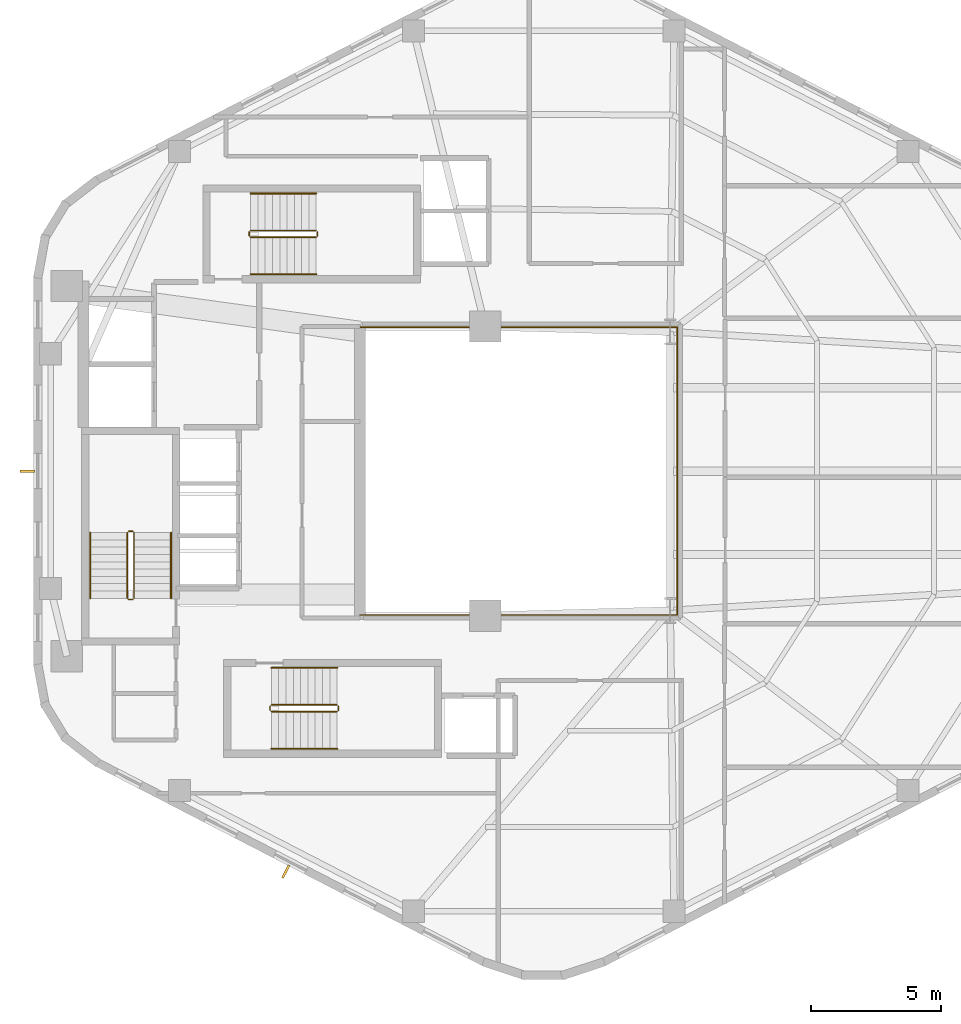
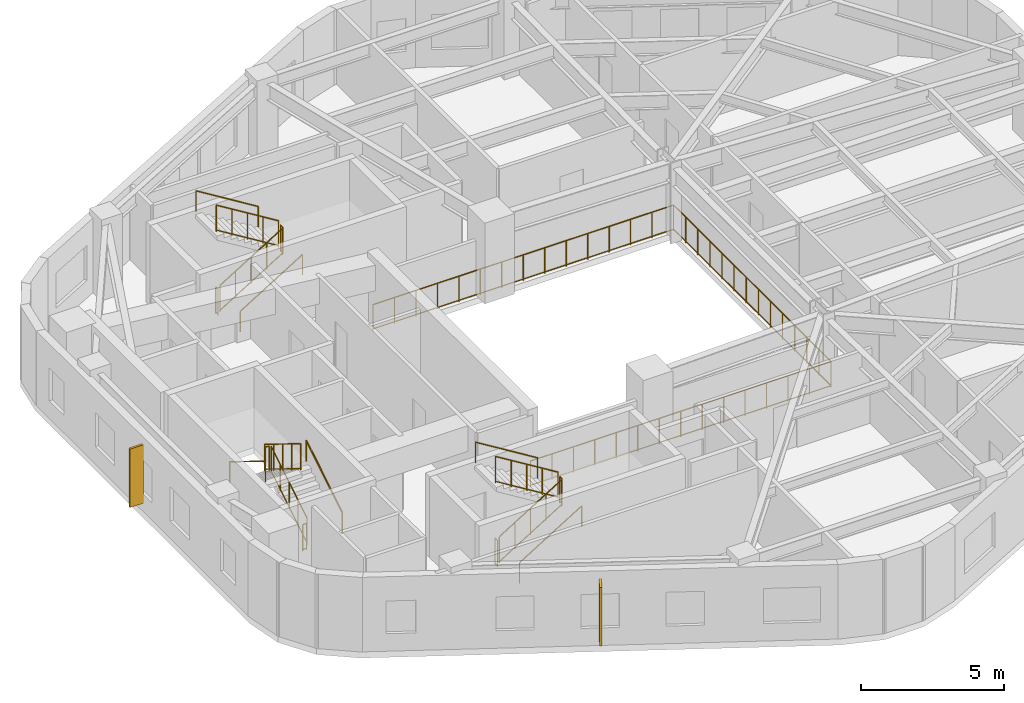
# One storey, part 6 of 6: 19 railings, 2 shading devices.
"""IFC4 building model written with IfcOpenShell, lengths in metres."""

from ifc_helpers import new_model, si_unit, direction, frame, origin, origin_2d, place, context, subcontext, project, spatial, rectangle, circle, extrude, material, type_object, element, save


model = new_model("IFC4")

# Units and contexts
model_context = context("Model", 3, precision=1e-05, world=origin(), true_north=direction((0.0, 1.0)))
body_context = subcontext(model_context, "Body", "Model", "MODEL_VIEW")
ifc_project = project(units=[si_unit("LENGTHUNIT", "METRE"), si_unit("AREAUNIT", "SQUARE_METRE"), si_unit("VOLUMEUNIT", "CUBIC_METRE"), si_unit("PLANEANGLEUNIT", "RADIAN"), si_unit("MASSUNIT", "GRAM", prefix="KILO"), si_unit("THERMODYNAMICTEMPERATUREUNIT", "KELVIN"), si_unit("POWERUNIT", "WATT")], contexts=[model_context])

# Site, building, storey
site_placement = place(None, origin())
site = spatial("IfcSite", under=ifc_project, at=site_placement, CompositionType="ELEMENT")
building_placement = place(site_placement, origin())
building = spatial("IfcBuilding", under=site, at=building_placement, Name="Skarre Station Tower", CompositionType="ELEMENT")
storey_placement = place(building_placement, frame((0.0, 0.0, 210.25)))
storey = spatial("IfcBuildingStorey", under=building, at=storey_placement, Name="L57", CompositionType="ELEMENT", Elevation=210.25)

# Railing
ifc_material_1 = material(Name="Bronze Anodized Steel & Laminated Glass Balustrade", Category="steel")
railing_type_1 = type_object("IfcRailingType", Name="Atrium Void & Mezzanine Guard Balustrade 1120", PredefinedType="GUARDRAIL", material=ifc_material_1)
railing_1_placement = place(storey_placement, frame((27.550048828125, 18.47998046875, 0.0)))
element("IfcRailing", 1, at=railing_1_placement, inside=storey, type_object=railing_type_1, Name="L57 Atrium Void Guard Balustrade", PredefinedType="GUARDRAIL", context=body_context, shape_type="SweptSolid", body=[
    extrude(circle(Radius=0.02392578125, at=origin_2d()), frame((0.0, 0.0, 1.09619140625), z_axis=(1.0, 0.0, 0.0), x_axis=(0.0, 1.0, 0.0)), (0.0, 0.0, 1.0), 12.169921875),
    extrude(circle(Radius=0.02099609375, at=origin_2d()), frame((0.0, 0.0, 0.06005859375), z_axis=(1.0, 0.0, 0.0), x_axis=(0.0, 1.0, 0.0)), (0.0, 0.0, 1.0), 12.169921875),
    extrude(circle(Radius=0.02392578125, at=origin_2d()), frame((12.169921875, 0.0, 1.09619140625), z_axis=(0.0, 1.0, 0.0), x_axis=(-1.0, 0.0, 0.0)), (0.0, 0.0, 1.0), 11.0400390625),
    extrude(circle(Radius=0.02099609375, at=origin_2d()), frame((12.169921875, 0.0, 0.06005859375), z_axis=(0.0, 1.0, 0.0), x_axis=(-1.0, 0.0, 0.0)), (0.0, 0.0, 1.0), 11.0400390625),
    extrude(circle(Radius=0.02392578125, at=origin_2d()), frame((12.169921875, 11.0400390625, 1.09619140625), z_axis=(-1.0, 0.0, 0.0), x_axis=(0.0, -1.0, 0.0)), (0.0, 0.0, 1.0), 12.169921875),
    extrude(circle(Radius=0.02099609375, at=origin_2d()), frame((12.169921875, 11.0400390625, 0.06005859375), z_axis=(-1.0, 0.0, 0.0), x_axis=(0.0, -1.0, 0.0)), (0.0, 0.0, 1.0), 12.169921875),
    extrude(circle(Radius=0.02099609375, at=origin_2d()), origin(), (0.0, 0.0, 1.0), 1.072021484375),
    extrude(circle(Radius=0.02099609375, at=origin_2d()), frame((0.869384765625, 0.0, 0.0)), (0.0, 0.0, 1.0), 1.072021484375),
    extrude(circle(Radius=0.02099609375, at=origin_2d()), frame((1.738525390625, 0.0, 0.0)), (0.0, 0.0, 1.0), 1.072021484375),
    extrude(circle(Radius=0.02099609375, at=origin_2d()), frame((2.60791015625, 0.0, 0.0)), (0.0, 0.0, 1.0), 1.072021484375),
    extrude(circle(Radius=0.02099609375, at=origin_2d()), frame((3.47705078125, 0.0, 0.0)), (0.0, 0.0, 1.0), 1.072021484375),
    extrude(circle(Radius=0.02099609375, at=origin_2d()), frame((4.346435546875, 0.0, 0.0)), (0.0, 0.0, 1.0), 1.072021484375),
    extrude(circle(Radius=0.02099609375, at=origin_2d()), frame((5.215576171875, 0.0, 0.0)), (0.0, 0.0, 1.0), 1.072021484375),
    extrude(circle(Radius=0.02099609375, at=origin_2d()), frame((6.0849609375, 0.0, 0.0)), (0.0, 0.0, 1.0), 1.072021484375),
    extrude(circle(Radius=0.02099609375, at=origin_2d()), frame((6.954345703125, 0.0, 0.0)), (0.0, 0.0, 1.0), 1.072021484375),
    extrude(circle(Radius=0.02099609375, at=origin_2d()), frame((7.823486328125, 0.0, 0.0)), (0.0, 0.0, 1.0), 1.072021484375),
    extrude(circle(Radius=0.02099609375, at=origin_2d()), frame((8.69287109375, 0.0, 0.0)), (0.0, 0.0, 1.0), 1.072021484375),
    extrude(circle(Radius=0.02099609375, at=origin_2d()), frame((9.56201171875, 0.0, 0.0)), (0.0, 0.0, 1.0), 1.072021484375),
    extrude(circle(Radius=0.02099609375, at=origin_2d()), frame((10.431396484375, 0.0, 0.0)), (0.0, 0.0, 1.0), 1.072021484375),
    extrude(circle(Radius=0.02099609375, at=origin_2d()), frame((11.300537109375, 0.0, 0.0)), (0.0, 0.0, 1.0), 1.072021484375),
    extrude(circle(Radius=0.02099609375, at=origin_2d()), frame((12.169921875, 0.0, 0.0)), (0.0, 0.0, 1.0), 1.072021484375),
    extrude(circle(Radius=0.02099609375, at=origin_2d()), frame((12.169921875, 0.84912109375, 0.0)), (0.0, 0.0, 1.0), 1.072021484375),
    extrude(circle(Radius=0.02099609375, at=origin_2d()), frame((12.169921875, 1.698486328125, 0.0)), (0.0, 0.0, 1.0), 1.072021484375),
    extrude(circle(Radius=0.02099609375, at=origin_2d()), frame((12.169921875, 2.547607421875, 0.0)), (0.0, 0.0, 1.0), 1.072021484375),
    extrude(circle(Radius=0.02099609375, at=origin_2d()), frame((12.169921875, 3.39697265625, 0.0)), (0.0, 0.0, 1.0), 1.072021484375),
    extrude(circle(Radius=0.02099609375, at=origin_2d()), frame((12.169921875, 4.24609375, 0.0)), (0.0, 0.0, 1.0), 1.072021484375),
    extrude(circle(Radius=0.02099609375, at=origin_2d()), frame((12.169921875, 5.095458984375, 0.0)), (0.0, 0.0, 1.0), 1.072021484375),
    extrude(circle(Radius=0.02099609375, at=origin_2d()), frame((12.169921875, 5.944580078125, 0.0)), (0.0, 0.0, 1.0), 1.072021484375),
    extrude(circle(Radius=0.02099609375, at=origin_2d()), frame((12.169921875, 6.7939453125, 0.0)), (0.0, 0.0, 1.0), 1.072021484375),
    extrude(circle(Radius=0.02099609375, at=origin_2d()), frame((12.169921875, 7.64306640625, 0.0)), (0.0, 0.0, 1.0), 1.072021484375),
    extrude(circle(Radius=0.02099609375, at=origin_2d()), frame((12.169921875, 8.492431640625, 0.0)), (0.0, 0.0, 1.0), 1.072021484375),
    extrude(circle(Radius=0.02099609375, at=origin_2d()), frame((12.169921875, 9.341552734375, 0.0)), (0.0, 0.0, 1.0), 1.072021484375),
    extrude(circle(Radius=0.02099609375, at=origin_2d()), frame((12.169921875, 10.19091796875, 0.0)), (0.0, 0.0, 1.0), 1.072021484375),
    extrude(circle(Radius=0.02099609375, at=origin_2d()), frame((12.169921875, 11.0400390625, 0.0)), (0.0, 0.0, 1.0), 1.072021484375),
    extrude(circle(Radius=0.02099609375, at=origin_2d()), frame((11.300537109375, 11.0400390625, 0.0)), (0.0, 0.0, 1.0), 1.072021484375),
    extrude(circle(Radius=0.02099609375, at=origin_2d()), frame((10.431396484375, 11.0400390625, 0.0)), (0.0, 0.0, 1.0), 1.072021484375),
    extrude(circle(Radius=0.02099609375, at=origin_2d()), frame((9.56201171875, 11.0400390625, 0.0)), (0.0, 0.0, 1.0), 1.072021484375),
    extrude(circle(Radius=0.02099609375, at=origin_2d()), frame((8.69287109375, 11.0400390625, 0.0)), (0.0, 0.0, 1.0), 1.072021484375),
    extrude(circle(Radius=0.02099609375, at=origin_2d()), frame((7.823486328125, 11.0400390625, 0.0)), (0.0, 0.0, 1.0), 1.072021484375),
    extrude(circle(Radius=0.02099609375, at=origin_2d()), frame((6.954345703125, 11.0400390625, 0.0)), (0.0, 0.0, 1.0), 1.072021484375),
    extrude(circle(Radius=0.02099609375, at=origin_2d()), frame((6.0849609375, 11.0400390625, 0.0)), (0.0, 0.0, 1.0), 1.072021484375),
    extrude(circle(Radius=0.02099609375, at=origin_2d()), frame((5.215576171875, 11.0400390625, 0.0)), (0.0, 0.0, 1.0), 1.072021484375),
    extrude(circle(Radius=0.02099609375, at=origin_2d()), frame((4.346435546875, 11.0400390625, 0.0)), (0.0, 0.0, 1.0), 1.072021484375),
    extrude(circle(Radius=0.02099609375, at=origin_2d()), frame((3.47705078125, 11.0400390625, 0.0)), (0.0, 0.0, 1.0), 1.072021484375),
    extrude(circle(Radius=0.02099609375, at=origin_2d()), frame((2.60791015625, 11.0400390625, 0.0)), (0.0, 0.0, 1.0), 1.072021484375),
    extrude(circle(Radius=0.02099609375, at=origin_2d()), frame((1.738525390625, 11.0400390625, 0.0)), (0.0, 0.0, 1.0), 1.072021484375),
    extrude(circle(Radius=0.02099609375, at=origin_2d()), frame((0.869384765625, 11.0400390625, 0.0)), (0.0, 0.0, 1.0), 1.072021484375),
    extrude(circle(Radius=0.02099609375, at=origin_2d()), frame((0.0, 11.0400390625, 0.0)), (0.0, 0.0, 1.0), 1.072021484375),
])

# Shading devices
ifc_material_2 = material(Name="Bronze Anodized Extruded Aluminium 6063-T6", Category="aluminium")
shading_device_type = type_object("IfcShadingDeviceType", Name="Nordic Bronze Vertical Solar Fin 550x90", PredefinedType="SHUTTER", material=ifc_material_2)
for number, where, z_axis, x_axis, name in (
    (2, (14.778076171875, 24.0, 0.35009765625), (0.0, 0.0, 1.0), (-1.0, 0.0, 0.0), "L57 Facet 2 Bronze Solar Fin"),
    (3, (24.698974609375, 8.6279296875, 0.35009765625), (0.0, 0.0, 1.0), (-0.458634045118, -0.888625237464, 0.0), "L57 Facet 3 Bronze Solar Fin"),
):
    element("IfcShadingDevice", number, at=place(storey_placement, frame(where, z_axis=z_axis, x_axis=x_axis)), inside=storey, type_object=shading_device_type, Name=name, PredefinedType="SHUTTER", context=body_context, shape_type="SweptSolid", body=[
        extrude(rectangle(XDim=0.550048828125, YDim=0.090087890625, at=origin_2d()), origin(), (0.0, 0.0, 1.0), 2.5),
    ])

# Railings
ifc_material_3 = material(Name="Powder-Coated Tubular Steel", Category="steel")
railing_type_2 = type_object("IfcRailingType", Name="Painted Steel Ramp & Stair Handrail 920", PredefinedType="HANDRAIL", material=ifc_material_3)
railing_2_placement = place(storey_placement, frame((20.300048828125, 19.1201171875, 0.172607421875)))
element("IfcRailing", 4, at=railing_2_placement, inside=storey, type_object=railing_type_2, Name="L57 ST-1 stair handrail 1", PredefinedType="HANDRAIL", context=body_context, shape_type="SweptSolid", body=[
    extrude(circle(Radius=0.02392578125, at=origin_2d()), frame((0.0, 0.0, 0.8759765625), z_axis=(0.0, 0.851377800117, 0.52455299205), x_axis=(-1.0, 0.0, 0.0)), (0.0, 0.0, 1.0), 2.959716796875),
    extrude(circle(Radius=0.02099609375, at=origin_2d()), origin(), (0.0, 0.0, 1.0), 0.851806640625),
    extrude(circle(Radius=0.02099609375, at=origin_2d()), frame((0.0, 2.519775390625, 1.552490234375)), (0.0, 0.0, 1.0), 0.851806640625),
])
railing_3_placement = place(storey_placement, frame((17.199951171875, 21.639892578125, 1.8974609375)))
element("IfcRailing", 5, at=railing_3_placement, inside=storey, type_object=railing_type_2, Name="L57 ST-1 stair handrail 2", PredefinedType="HANDRAIL", context=body_context, shape_type="SweptSolid", body=[
    extrude(circle(Radius=0.02392578125, at=origin_2d()), frame((0.0, 0.0, 0.8759765625), z_axis=(0.0, -0.851377800117, 0.52455299205), x_axis=(1.0, 0.0, 0.0)), (0.0, 0.0, 1.0), 2.959716796875),
    extrude(circle(Radius=0.02099609375, at=origin_2d()), origin(), (0.0, 0.0, 1.0), 0.851806640625),
    extrude(circle(Radius=0.02099609375, at=origin_2d()), frame((0.0, -2.519775390625, 1.552490234375)), (0.0, 0.0, 1.0), 0.851806640625),
])
railing_4_placement = place(storey_placement, frame((24.14990234375, 13.35009765625, 0.172607421875)))
element("IfcRailing", 6, at=railing_4_placement, inside=storey, type_object=railing_type_2, Name="L57 ST-2 stair handrail 1", PredefinedType="HANDRAIL", context=body_context, shape_type="SweptSolid", body=[
    extrude(circle(Radius=0.02392578125, at=origin_2d()), frame((0.0, 0.0, 0.8759765625), z_axis=(0.851400495292, 0.0, 0.524516154772), x_axis=(0.0, 1.0, 0.0)), (0.0, 0.0, 1.0), 2.9599609375),
    extrude(circle(Radius=0.02099609375, at=origin_2d()), origin(), (0.0, 0.0, 1.0), 0.851806640625),
    extrude(circle(Radius=0.02099609375, at=origin_2d()), frame((2.52001953125, 0.0, 1.552490234375)), (0.0, 0.0, 1.0), 0.851806640625),
])
railing_5_placement = place(storey_placement, frame((26.669921875, 16.449951171875, 1.8974609375)))
element("IfcRailing", 7, at=railing_5_placement, inside=storey, type_object=railing_type_2, Name="L57 ST-2 stair handrail 2", PredefinedType="HANDRAIL", context=body_context, shape_type="SweptSolid", body=[
    extrude(circle(Radius=0.02392578125, at=origin_2d()), frame((0.0, 0.0, 0.8759765625), z_axis=(-0.851400495292, 0.0, 0.524516154772), x_axis=(0.0, -1.0, 0.0)), (0.0, 0.0, 1.0), 2.9599609375),
    extrude(circle(Radius=0.02099609375, at=origin_2d()), origin(), (0.0, 0.0, 1.0), 0.851806640625),
    extrude(circle(Radius=0.02099609375, at=origin_2d()), frame((-2.52001953125, 0.0, 1.552490234375)), (0.0, 0.0, 1.0), 0.851806640625),
])
railing_6_placement = place(storey_placement, frame((23.35009765625, 31.550048828125, 0.172607421875)))
element("IfcRailing", 8, at=railing_6_placement, inside=storey, type_object=railing_type_2, Name="L57 ST-3 stair handrail 1", PredefinedType="HANDRAIL", context=body_context, shape_type="SweptSolid", body=[
    extrude(circle(Radius=0.02392578125, at=origin_2d()), frame((0.0, 0.0, 0.8759765625), z_axis=(0.851400495292, 0.0, 0.524516154772), x_axis=(0.0, 1.0, 0.0)), (0.0, 0.0, 1.0), 2.9599609375),
    extrude(circle(Radius=0.02099609375, at=origin_2d()), origin(), (0.0, 0.0, 1.0), 0.851806640625),
    extrude(circle(Radius=0.02099609375, at=origin_2d()), frame((2.52001953125, 0.0, 1.552490234375)), (0.0, 0.0, 1.0), 0.851806640625),
])
railing_7_placement = place(storey_placement, frame((25.8701171875, 34.64990234375, 1.8974609375)))
element("IfcRailing", 9, at=railing_7_placement, inside=storey, type_object=railing_type_2, Name="L57 ST-3 stair handrail 2", PredefinedType="HANDRAIL", context=body_context, shape_type="SweptSolid", body=[
    extrude(circle(Radius=0.02392578125, at=origin_2d()), frame((0.0, 0.0, 0.8759765625), z_axis=(-0.851400495292, 0.0, 0.524516154772), x_axis=(0.0, -1.0, 0.0)), (0.0, 0.0, 1.0), 2.9599609375),
    extrude(circle(Radius=0.02099609375, at=origin_2d()), origin(), (0.0, 0.0, 1.0), 0.851806640625),
    extrude(circle(Radius=0.02099609375, at=origin_2d()), frame((-2.52001953125, 0.0, 1.552490234375)), (0.0, 0.0, 1.0), 0.851806640625),
])
railing_type_3 = type_object("IfcRailingType", Name="Painted Steel Stairwell Guardrail 1100", PredefinedType="GUARDRAIL", material=ifc_material_3)
railing_8_placement = place(storey_placement, frame((18.8798828125, 19.1201171875, 0.172607421875)))
element("IfcRailing", 10, at=railing_8_placement, inside=storey, type_object=railing_type_3, Name="L57 ST-1 stair guard 1", PredefinedType="GUARDRAIL", context=body_context, shape_type="SweptSolid", body=[
    extrude(circle(Radius=0.02392578125, at=origin_2d()), frame((0.0, 0.0, 1.1259765625), z_axis=(0.0, 0.851377800117, 0.52455299205), x_axis=(-1.0, 0.0, 0.0)), (0.0, 0.0, 1.0), 2.959716796875),
    extrude(circle(Radius=0.02099609375, at=origin_2d()), frame((0.0, 0.0, 0.06005859375), z_axis=(0.0, 0.851377800117, 0.52455299205), x_axis=(-1.0, 0.0, 0.0)), (0.0, 0.0, 1.0), 2.959716796875),
    extrude(circle(Radius=0.02099609375, at=origin_2d()), origin(), (0.0, 0.0, 1.0), 1.101806640625),
    extrude(circle(Radius=0.02099609375, at=origin_2d()), frame((0.0, 0.6298828125, 0.38818359375)), (0.0, 0.0, 1.0), 1.101806640625),
    extrude(circle(Radius=0.02099609375, at=origin_2d()), frame((0.0, 1.259765625, 0.7763671875)), (0.0, 0.0, 1.0), 1.101806640625),
    extrude(circle(Radius=0.02099609375, at=origin_2d()), frame((0.0, 1.889892578125, 1.164306640625)), (0.0, 0.0, 1.0), 1.101806640625),
    extrude(circle(Radius=0.02099609375, at=origin_2d()), frame((0.0, 2.519775390625, 1.552490234375)), (0.0, 0.0, 1.0), 1.101806640625),
])
railing_9_placement = place(storey_placement, frame((18.830078125, 21.68994140625, 1.72509765625)))
element("IfcRailing", 11, at=railing_9_placement, inside=storey, type_object=railing_type_3, Name="L57 ST-1 stair guard 2", PredefinedType="GUARDRAIL", context=body_context, shape_type="SweptSolid", body=[
    extrude(circle(Radius=0.02392578125, at=origin_2d()), frame((0.0, 0.0, 1.1259765625), z_axis=(-1.0, 0.0, 0.0), x_axis=(0.0, -1.0, 0.0)), (0.0, 0.0, 1.0), 0.16015625),
    extrude(circle(Radius=0.02099609375, at=origin_2d()), frame((0.0, 0.0, 0.06005859375), z_axis=(-1.0, 0.0, 0.0), x_axis=(0.0, -1.0, 0.0)), (0.0, 0.0, 1.0), 0.16015625),
    extrude(circle(Radius=0.02099609375, at=origin_2d()), origin(), (0.0, 0.0, 1.0), 1.101806640625),
    extrude(circle(Radius=0.02099609375, at=origin_2d()), frame((-0.16015625, 0.0, 0.0)), (0.0, 0.0, 1.0), 1.101806640625),
])
railing_10_placement = place(storey_placement, frame((18.6201171875, 21.639892578125, 1.8974609375)))
element("IfcRailing", 12, at=railing_10_placement, inside=storey, type_object=railing_type_3, Name="L57 ST-1 stair guard 3", PredefinedType="GUARDRAIL", context=body_context, shape_type="SweptSolid", body=[
    extrude(circle(Radius=0.02392578125, at=origin_2d()), frame((0.0, 0.0, 1.1259765625), z_axis=(0.0, -0.851377800117, 0.52455299205), x_axis=(1.0, 0.0, 0.0)), (0.0, 0.0, 1.0), 2.959716796875),
    extrude(circle(Radius=0.02099609375, at=origin_2d()), frame((0.0, 0.0, 0.06005859375), z_axis=(0.0, -0.851377800117, 0.52455299205), x_axis=(1.0, 0.0, 0.0)), (0.0, 0.0, 1.0), 2.959716796875),
    extrude(circle(Radius=0.02099609375, at=origin_2d()), origin(), (0.0, 0.0, 1.0), 1.101806640625),
    extrude(circle(Radius=0.02099609375, at=origin_2d()), frame((0.0, -0.6298828125, 0.38818359375)), (0.0, 0.0, 1.0), 1.101806640625),
    extrude(circle(Radius=0.02099609375, at=origin_2d()), frame((0.0, -1.259765625, 0.7763671875)), (0.0, 0.0, 1.0), 1.101806640625),
    extrude(circle(Radius=0.02099609375, at=origin_2d()), frame((0.0, -1.889892578125, 1.164306640625)), (0.0, 0.0, 1.0), 1.101806640625),
    extrude(circle(Radius=0.02099609375, at=origin_2d()), frame((0.0, -2.519775390625, 1.552490234375)), (0.0, 0.0, 1.0), 1.101806640625),
])
railing_11_placement = place(storey_placement, frame((18.830078125, 19.070068359375, 0.0)))
element("IfcRailing", 13, at=railing_11_placement, inside=storey, type_object=railing_type_3, Name="L57 ST-1 stair guard 4", PredefinedType="GUARDRAIL", context=body_context, shape_type="SweptSolid", body=[
    extrude(circle(Radius=0.02392578125, at=origin_2d()), frame((0.0, 0.0, 1.1259765625), z_axis=(-1.0, 0.0, 0.0), x_axis=(0.0, -1.0, 0.0)), (0.0, 0.0, 1.0), 0.16015625),
    extrude(circle(Radius=0.02099609375, at=origin_2d()), frame((0.0, 0.0, 0.06005859375), z_axis=(-1.0, 0.0, 0.0), x_axis=(0.0, -1.0, 0.0)), (0.0, 0.0, 1.0), 0.16015625),
    extrude(circle(Radius=0.02099609375, at=origin_2d()), origin(), (0.0, 0.0, 1.0), 1.101806640625),
    extrude(circle(Radius=0.02099609375, at=origin_2d()), frame((-0.16015625, 0.0, 0.0)), (0.0, 0.0, 1.0), 1.101806640625),
])
railing_12_placement = place(storey_placement, frame((24.14990234375, 14.77001953125, 0.172607421875)))
element("IfcRailing", 14, at=railing_12_placement, inside=storey, type_object=railing_type_3, Name="L57 ST-2 stair guard 1", PredefinedType="GUARDRAIL", context=body_context, shape_type="SweptSolid", body=[
    extrude(circle(Radius=0.02392578125, at=origin_2d()), frame((0.0, 0.0, 1.1259765625), z_axis=(0.851400495292, 0.0, 0.524516154772), x_axis=(0.0, 1.0, 0.0)), (0.0, 0.0, 1.0), 2.9599609375),
    extrude(circle(Radius=0.02099609375, at=origin_2d()), frame((0.0, 0.0, 0.06005859375), z_axis=(0.851400495292, 0.0, 0.524516154772), x_axis=(0.0, 1.0, 0.0)), (0.0, 0.0, 1.0), 2.9599609375),
    extrude(circle(Radius=0.02099609375, at=origin_2d()), origin(), (0.0, 0.0, 1.0), 1.101806640625),
    extrude(circle(Radius=0.02099609375, at=origin_2d()), frame((0.6298828125, 0.0, 0.38818359375)), (0.0, 0.0, 1.0), 1.101806640625),
    extrude(circle(Radius=0.02099609375, at=origin_2d()), frame((1.260009765625, 0.0, 0.7763671875)), (0.0, 0.0, 1.0), 1.101806640625),
    extrude(circle(Radius=0.02099609375, at=origin_2d()), frame((1.89013671875, 0.0, 1.164306640625)), (0.0, 0.0, 1.0), 1.101806640625),
    extrude(circle(Radius=0.02099609375, at=origin_2d()), frame((2.52001953125, 0.0, 1.552490234375)), (0.0, 0.0, 1.0), 1.101806640625),
])
railing_13_placement = place(storey_placement, frame((26.719970703125, 14.820068359375, 1.72509765625)))
element("IfcRailing", 15, at=railing_13_placement, inside=storey, type_object=railing_type_3, Name="L57 ST-2 stair guard 2", PredefinedType="GUARDRAIL", context=body_context, shape_type="SweptSolid", body=[
    extrude(circle(Radius=0.02392578125, at=origin_2d()), frame((0.0, 0.0, 1.1259765625), z_axis=(0.0, 1.0, 0.0), x_axis=(-1.0, 0.0, 0.0)), (0.0, 0.0, 1.0), 0.159912109375),
    extrude(circle(Radius=0.02099609375, at=origin_2d()), frame((0.0, 0.0, 0.06005859375), z_axis=(0.0, 1.0, 0.0), x_axis=(-1.0, 0.0, 0.0)), (0.0, 0.0, 1.0), 0.159912109375),
    extrude(circle(Radius=0.02099609375, at=origin_2d()), origin(), (0.0, 0.0, 1.0), 1.101806640625),
    extrude(circle(Radius=0.02099609375, at=origin_2d()), frame((0.0, 0.159912109375, 0.0)), (0.0, 0.0, 1.0), 1.101806640625),
])
railing_14_placement = place(storey_placement, frame((26.669921875, 15.030029296875, 1.8974609375)))
element("IfcRailing", 16, at=railing_14_placement, inside=storey, type_object=railing_type_3, Name="L57 ST-2 stair guard 3", PredefinedType="GUARDRAIL", context=body_context, shape_type="SweptSolid", body=[
    extrude(circle(Radius=0.02392578125, at=origin_2d()), frame((0.0, 0.0, 1.1259765625), z_axis=(-0.851400495292, 0.0, 0.524516154772), x_axis=(0.0, -1.0, 0.0)), (0.0, 0.0, 1.0), 2.9599609375),
    extrude(circle(Radius=0.02099609375, at=origin_2d()), frame((0.0, 0.0, 0.06005859375), z_axis=(-0.851400495292, 0.0, 0.524516154772), x_axis=(0.0, -1.0, 0.0)), (0.0, 0.0, 1.0), 2.9599609375),
    extrude(circle(Radius=0.02099609375, at=origin_2d()), origin(), (0.0, 0.0, 1.0), 1.101806640625),
    extrude(circle(Radius=0.02099609375, at=origin_2d()), frame((-0.6298828125, 0.0, 0.38818359375)), (0.0, 0.0, 1.0), 1.101806640625),
    extrude(circle(Radius=0.02099609375, at=origin_2d()), frame((-1.260009765625, 0.0, 0.7763671875)), (0.0, 0.0, 1.0), 1.101806640625),
    extrude(circle(Radius=0.02099609375, at=origin_2d()), frame((-1.89013671875, 0.0, 1.164306640625)), (0.0, 0.0, 1.0), 1.101806640625),
    extrude(circle(Radius=0.02099609375, at=origin_2d()), frame((-2.52001953125, 0.0, 1.552490234375)), (0.0, 0.0, 1.0), 1.101806640625),
])
railing_15_placement = place(storey_placement, frame((24.10009765625, 14.820068359375, 0.0)))
element("IfcRailing", 17, at=railing_15_placement, inside=storey, type_object=railing_type_3, Name="L57 ST-2 stair guard 4", PredefinedType="GUARDRAIL", context=body_context, shape_type="SweptSolid", body=[
    extrude(circle(Radius=0.02392578125, at=origin_2d()), frame((0.0, 0.0, 1.1259765625), z_axis=(0.0, 1.0, 0.0), x_axis=(-1.0, 0.0, 0.0)), (0.0, 0.0, 1.0), 0.159912109375),
    extrude(circle(Radius=0.02099609375, at=origin_2d()), frame((0.0, 0.0, 0.06005859375), z_axis=(0.0, 1.0, 0.0), x_axis=(-1.0, 0.0, 0.0)), (0.0, 0.0, 1.0), 0.159912109375),
    extrude(circle(Radius=0.02099609375, at=origin_2d()), origin(), (0.0, 0.0, 1.0), 1.101806640625),
    extrude(circle(Radius=0.02099609375, at=origin_2d()), frame((0.0, 0.159912109375, 0.0)), (0.0, 0.0, 1.0), 1.101806640625),
])
railing_16_placement = place(storey_placement, frame((23.35009765625, 32.969970703125, 0.172607421875)))
element("IfcRailing", 18, at=railing_16_placement, inside=storey, type_object=railing_type_3, Name="L57 ST-3 stair guard 1", PredefinedType="GUARDRAIL", context=body_context, shape_type="SweptSolid", body=[
    extrude(circle(Radius=0.02392578125, at=origin_2d()), frame((0.0, 0.0, 1.1259765625), z_axis=(0.851400495292, 0.0, 0.524516154772), x_axis=(0.0, 1.0, 0.0)), (0.0, 0.0, 1.0), 2.9599609375),
    extrude(circle(Radius=0.02099609375, at=origin_2d()), frame((0.0, 0.0, 0.06005859375), z_axis=(0.851400495292, 0.0, 0.524516154772), x_axis=(0.0, 1.0, 0.0)), (0.0, 0.0, 1.0), 2.9599609375),
    extrude(circle(Radius=0.02099609375, at=origin_2d()), origin(), (0.0, 0.0, 1.0), 1.101806640625),
    extrude(circle(Radius=0.02099609375, at=origin_2d()), frame((0.6298828125, 0.0, 0.38818359375)), (0.0, 0.0, 1.0), 1.101806640625),
    extrude(circle(Radius=0.02099609375, at=origin_2d()), frame((1.260009765625, 0.0, 0.7763671875)), (0.0, 0.0, 1.0), 1.101806640625),
    extrude(circle(Radius=0.02099609375, at=origin_2d()), frame((1.89013671875, 0.0, 1.164306640625)), (0.0, 0.0, 1.0), 1.101806640625),
    extrude(circle(Radius=0.02099609375, at=origin_2d()), frame((2.52001953125, 0.0, 1.552490234375)), (0.0, 0.0, 1.0), 1.101806640625),
])
railing_17_placement = place(storey_placement, frame((25.919921875, 33.02001953125, 1.72509765625)))
element("IfcRailing", 19, at=railing_17_placement, inside=storey, type_object=railing_type_3, Name="L57 ST-3 stair guard 2", PredefinedType="GUARDRAIL", context=body_context, shape_type="SweptSolid", body=[
    extrude(circle(Radius=0.02392578125, at=origin_2d()), frame((0.0, 0.0, 1.1259765625), z_axis=(0.0, 1.0, 0.0), x_axis=(-1.0, 0.0, 0.0)), (0.0, 0.0, 1.0), 0.159912109375),
    extrude(circle(Radius=0.02099609375, at=origin_2d()), frame((0.0, 0.0, 0.06005859375), z_axis=(0.0, 1.0, 0.0), x_axis=(-1.0, 0.0, 0.0)), (0.0, 0.0, 1.0), 0.159912109375),
    extrude(circle(Radius=0.02099609375, at=origin_2d()), origin(), (0.0, 0.0, 1.0), 1.101806640625),
    extrude(circle(Radius=0.02099609375, at=origin_2d()), frame((0.0, 0.159912109375, 0.0)), (0.0, 0.0, 1.0), 1.101806640625),
])
railing_18_placement = place(storey_placement, frame((25.8701171875, 33.22998046875, 1.8974609375)))
element("IfcRailing", 20, at=railing_18_placement, inside=storey, type_object=railing_type_3, Name="L57 ST-3 stair guard 3", PredefinedType="GUARDRAIL", context=body_context, shape_type="SweptSolid", body=[
    extrude(circle(Radius=0.02392578125, at=origin_2d()), frame((0.0, 0.0, 1.1259765625), z_axis=(-0.851400495292, 0.0, 0.524516154772), x_axis=(0.0, -1.0, 0.0)), (0.0, 0.0, 1.0), 2.9599609375),
    extrude(circle(Radius=0.02099609375, at=origin_2d()), frame((0.0, 0.0, 0.06005859375), z_axis=(-0.851400495292, 0.0, 0.524516154772), x_axis=(0.0, -1.0, 0.0)), (0.0, 0.0, 1.0), 2.9599609375),
    extrude(circle(Radius=0.02099609375, at=origin_2d()), origin(), (0.0, 0.0, 1.0), 1.101806640625),
    extrude(circle(Radius=0.02099609375, at=origin_2d()), frame((-0.6298828125, 0.0, 0.38818359375)), (0.0, 0.0, 1.0), 1.101806640625),
    extrude(circle(Radius=0.02099609375, at=origin_2d()), frame((-1.260009765625, 0.0, 0.7763671875)), (0.0, 0.0, 1.0), 1.101806640625),
    extrude(circle(Radius=0.02099609375, at=origin_2d()), frame((-1.89013671875, 0.0, 1.164306640625)), (0.0, 0.0, 1.0), 1.101806640625),
    extrude(circle(Radius=0.02099609375, at=origin_2d()), frame((-2.52001953125, 0.0, 1.552490234375)), (0.0, 0.0, 1.0), 1.101806640625),
])
railing_19_placement = place(storey_placement, frame((23.300048828125, 33.02001953125, 0.0)))
element("IfcRailing", 21, at=railing_19_placement, inside=storey, type_object=railing_type_3, Name="L57 ST-3 stair guard 4", PredefinedType="GUARDRAIL", context=body_context, shape_type="SweptSolid", body=[
    extrude(circle(Radius=0.02392578125, at=origin_2d()), frame((0.0, 0.0, 1.1259765625), z_axis=(0.0, 1.0, 0.0), x_axis=(-1.0, 0.0, 0.0)), (0.0, 0.0, 1.0), 0.159912109375),
    extrude(circle(Radius=0.02099609375, at=origin_2d()), frame((0.0, 0.0, 0.06005859375), z_axis=(0.0, 1.0, 0.0), x_axis=(-1.0, 0.0, 0.0)), (0.0, 0.0, 1.0), 0.159912109375),
    extrude(circle(Radius=0.02099609375, at=origin_2d()), origin(), (0.0, 0.0, 1.0), 1.101806640625),
    extrude(circle(Radius=0.02099609375, at=origin_2d()), frame((0.0, 0.159912109375, 0.0)), (0.0, 0.0, 1.0), 1.101806640625),
])

save(model, "model.ifc")
